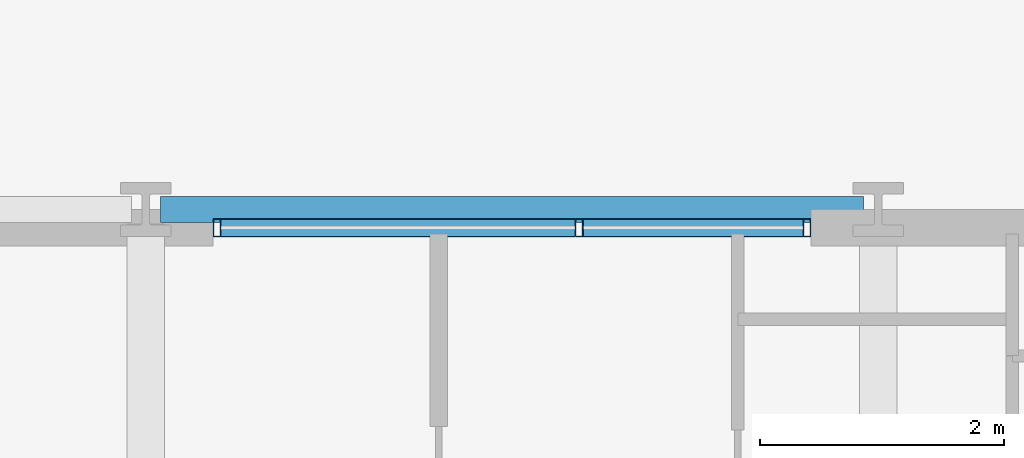
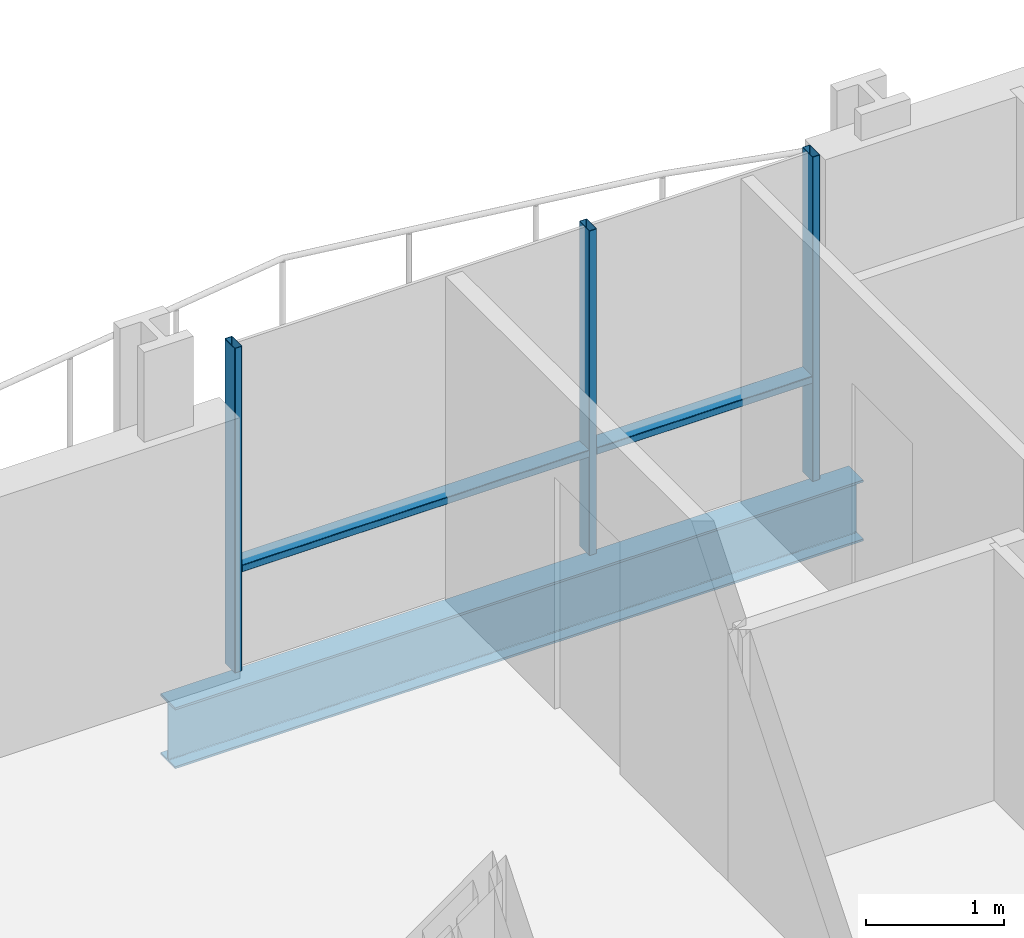
# One storey, part 24 of 41: 5 members, 1 beam, 1 element without a shape of its own.
"""IFC4 building model written with IfcOpenShell, lengths in metres."""

from ifc_helpers import new_model, si_unit, direction, frame, origin, origin_2d, place, context, subcontext, project, spatial, hollow_rectangle, i_section, extrude, material, layer, layer_set, material_profile, profile_set, type_object, element, aggregate, save


model = new_model("IFC4")

# Units and contexts
model_context = context("Model", 3, precision=1e-05, world=origin(), true_north=direction((0.0, 1.0)))
body_context = subcontext(model_context, "Body", "Model", "MODEL_VIEW")
ifc_project = project(units=[si_unit("LENGTHUNIT", "METRE"), si_unit("AREAUNIT", "SQUARE_METRE"), si_unit("VOLUMEUNIT", "CUBIC_METRE"), si_unit("PLANEANGLEUNIT", "RADIAN"), si_unit("MASSUNIT", "GRAM", prefix="KILO")], contexts=[model_context])

# Site, building, storey
site_placement = place(None, origin())
site = spatial("IfcSite", under=ifc_project, at=site_placement, CompositionType="ELEMENT")
building_placement = place(site_placement, origin())
building = spatial("IfcBuilding", under=site, at=building_placement, Name="Brevholm Reach", CompositionType="ELEMENT")
storey_placement = place(building_placement, frame((0.0, 0.0, 55.89990234375)))
storey = spatial("IfcBuildingStorey", under=building, at=storey_placement, Name="L15", CompositionType="ELEMENT", Elevation=55.89990234375)

# Beam
ifc_material_1 = material(Name="Structural Steel S355J2", Category="steel")
ifc_material_profile_1 = material_profile(ifc_material_1, i_section(OverallWidth=0.210693359375, OverallDepth=0.53955078125, WebThickness=0.01171875, FlangeThickness=0.018798828125, FilletRadius=0.0126953125, at=origin_2d()), Name="UKB 533x210x109")
ifc_profile_set_1 = profile_set([ifc_material_profile_1], Name="Structural Steel S355J2")
beam_type = type_object("IfcBeamType", Name="BM-SP539", PredefinedType="SPANDREL", material=ifc_profile_set_1)
beam_placement = place(storey_placement, frame((48.1201171875, 31.0, -0.499755859375), z_axis=(1.0, 0.0, 0.0), x_axis=(0.0, 1.0, 0.0)))
element("IfcBeam", 1, at=beam_placement, inside=storey, type_object=beam_type, Name="L15 SP-01B Framing Beam", PredefinedType="SPANDREL", context=body_context, shape_type="SweptSolid", body=[
    extrude(i_section(OverallWidth=0.210693359375, OverallDepth=0.53955078125, WebThickness=0.01171875, FlangeThickness=0.018798828125, FilletRadius=0.0126953125, at=origin_2d()), origin(), (0.0, 0.0, 1.0), 5.759765625),
])

# Curtain wall, members
ifc_material_2 = material(Name="Dark Anodised Aluminium 6063-T6 and Solar-Control Glass", Category="aluminium")
ifc_layer = layer(ifc_material_2, 0.14990234375)
ifc_layer_set = layer_set([ifc_layer], Name="Dark Anodised Aluminium 6063-T6 and Solar-Control Glass")
curtain_wall_type = type_object("IfcCurtainWallType", Name="CW-01", PredefinedType="NOTDEFINED", material=ifc_layer_set)
curtain_wall_placement = place(storey_placement, origin())
curtain_wall = element("IfcCurtainWall", 2, at=curtain_wall_placement, inside=storey, type_object=curtain_wall_type, Name="L15 Curtain Wall CW-01", PredefinedType="NOTDEFINED")
ifc_material_3 = material(Name="Dark Anodised Aluminium 6063-T6", Category="aluminium")
ifc_material_profile_2 = material_profile(ifc_material_3, hollow_rectangle(XDim=0.06494140625, YDim=0.14990234375, WallThickness=0.0048828125, InnerFilletRadius=0.0048828125, OuterFilletRadius=0.010009765625, at=origin_2d()), Name="RHS 150x65x5")
ifc_profile_set_2 = profile_set([ifc_material_profile_2], Name="Dark Anodised Aluminium 6063-T6")
member_type_1 = type_object("IfcMemberType", Name="CWM-150", PredefinedType="MULLION", material=ifc_profile_set_2)
member_1_placement = place(storey_placement, frame((48.58251953125, 30.85009765625, 0.0), z_axis=(0.0, 0.0, 1.0), x_axis=(1.0, 0.0, 0.0)))
member_1 = element("IfcMember", 3, at=member_1_placement, type_object=member_type_1, Name="CM-150 Mullion 1", PredefinedType="MULLION", context=body_context, shape_type="SweptSolid", body=[
    extrude(hollow_rectangle(XDim=0.06494140625, YDim=0.14990234375, WallThickness=0.0048828125, InnerFilletRadius=0.0048828125, OuterFilletRadius=0.010009765625, at=origin_2d()), origin(), (0.0, 0.0, 1.0), 2.8701171875),
])
member_2_placement = place(storey_placement, frame((51.550048828125, 30.85009765625, 0.0), z_axis=(0.0, 0.0, 1.0), x_axis=(1.0, 0.0, 0.0)))
member_2 = element("IfcMember", 4, at=member_2_placement, type_object=member_type_1, Name="CM-150 Mullion 2", PredefinedType="MULLION", context=body_context, shape_type="SweptSolid", body=[
    extrude(hollow_rectangle(XDim=0.06494140625, YDim=0.14990234375, WallThickness=0.0048828125, InnerFilletRadius=0.0048828125, OuterFilletRadius=0.010009765625, at=origin_2d()), origin(), (0.0, 0.0, 1.0), 2.8701171875),
])
member_3_placement = place(storey_placement, frame((53.41748046875, 30.85009765625, 0.0), z_axis=(0.0, 0.0, 1.0), x_axis=(1.0, 0.0, 0.0)))
member_3 = element("IfcMember", 5, at=member_3_placement, type_object=member_type_1, Name="CM-150 Mullion 3", PredefinedType="MULLION", context=body_context, shape_type="SweptSolid", body=[
    extrude(hollow_rectangle(XDim=0.06494140625, YDim=0.14990234375, WallThickness=0.0048828125, InnerFilletRadius=0.0048828125, OuterFilletRadius=0.010009765625, at=origin_2d()), origin(), (0.0, 0.0, 1.0), 2.8701171875),
])
ifc_material_4 = material(Name="Dark Anodised Aluminium 6063-T6", Category="aluminium")
ifc_material_profile_3 = material_profile(ifc_material_4, hollow_rectangle(XDim=0.06494140625, YDim=0.14990234375, WallThickness=0.0048828125, InnerFilletRadius=0.0048828125, OuterFilletRadius=0.010009765625, at=origin_2d()), Name="RHS 150x65x5")
ifc_profile_set_3 = profile_set([ifc_material_profile_3], Name="Dark Anodised Aluminium 6063-T6")
member_type_2 = type_object("IfcMemberType", Name="CWT-150", PredefinedType="NOTDEFINED", material=ifc_profile_set_3)
member_4_placement = place(storey_placement, frame((48.614990234375, 30.85009765625, 0.900146484375), z_axis=(1.0, 0.0, 0.0), x_axis=(0.0, 0.0, 1.0)))
member_4 = element("IfcMember", 6, at=member_4_placement, type_object=member_type_2, Name="CT-150 Transom 1.1", ObjectType="TRANSOM", PredefinedType="USERDEFINED", context=body_context, shape_type="SweptSolid", body=[
    extrude(hollow_rectangle(XDim=0.06494140625, YDim=0.14990234375, WallThickness=0.0048828125, InnerFilletRadius=0.0048828125, OuterFilletRadius=0.010009765625, at=origin_2d()), origin(), (0.0, 0.0, 1.0), 2.902587890625),
])
member_5_placement = place(storey_placement, frame((51.58251953125, 30.85009765625, 0.900146484375), z_axis=(1.0, 0.0, 0.0), x_axis=(0.0, 0.0, 1.0)))
member_5 = element("IfcMember", 7, at=member_5_placement, type_object=member_type_2, Name="CT-150 Transom 2.1", ObjectType="TRANSOM", PredefinedType="USERDEFINED", context=body_context, shape_type="SweptSolid", body=[
    extrude(hollow_rectangle(XDim=0.06494140625, YDim=0.14990234375, WallThickness=0.0048828125, InnerFilletRadius=0.0048828125, OuterFilletRadius=0.010009765625, at=origin_2d()), origin(), (0.0, 0.0, 1.0), 1.802490234375),
])
aggregate(curtain_wall, [member_1, member_2, member_3, member_4, member_5])

save(model, "model.ifc")
